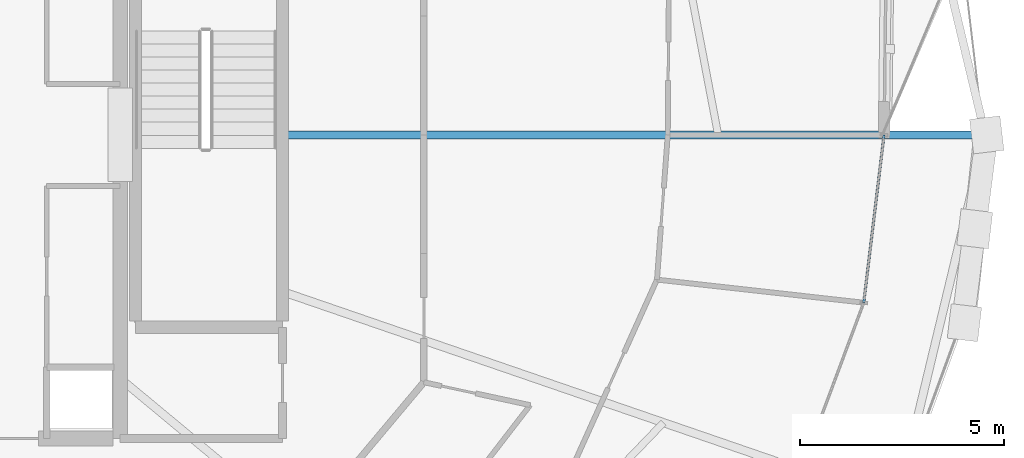
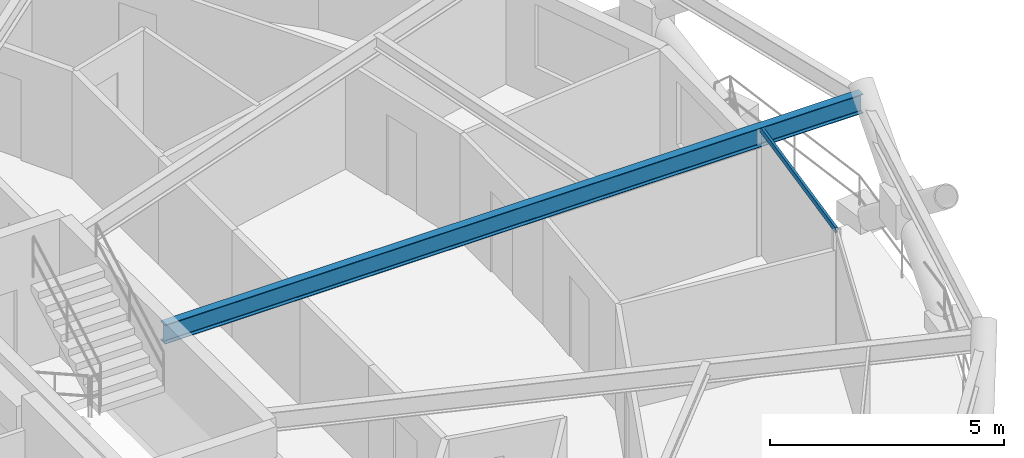
# One storey, part 10 of 21: 1 beam, 1 member, 1 element without a shape of its own.
"""IFC4 building model written with IfcOpenShell, lengths in metres."""

from ifc_helpers import new_model, si_unit, direction, frame, origin, origin_2d, place, context, subcontext, project, spatial, hollow_rectangle, i_section, extrude, material, layer, layer_set, material_profile, profile_set, type_object, element, aggregate, save


model = new_model("IFC4")

# Units and contexts
model_context = context("Model", 3, precision=1e-05, world=origin(), true_north=direction((0.0, 1.0)))
body_context = subcontext(model_context, "Body", "Model", "MODEL_VIEW")
ifc_project = project(units=[si_unit("LENGTHUNIT", "METRE"), si_unit("AREAUNIT", "SQUARE_METRE"), si_unit("VOLUMEUNIT", "CUBIC_METRE"), si_unit("PLANEANGLEUNIT", "RADIAN"), si_unit("MASSUNIT", "GRAM", prefix="KILO")], contexts=[model_context])

# Site, building, storey
site_placement = place(None, origin())
site = spatial("IfcSite", under=ifc_project, at=site_placement, CompositionType="ELEMENT")
building_placement = place(site_placement, origin())
building = spatial("IfcBuilding", under=site, at=building_placement, Name="Veldorina Hangang Commons", CompositionType="ELEMENT")
storey_placement = place(building_placement, frame((0.0, 0.0, 138.800048828125)))
storey = spatial("IfcBuildingStorey", under=building, at=storey_placement, Name="L35", CompositionType="ELEMENT", Elevation=138.800048828125)

# Beam
ifc_material_1 = material(Name="Steel SM420-TMC", Category="steel")
ifc_material_profile_1 = material_profile(ifc_material_1, i_section(OverallWidth=0.199951171875, OverallDepth=0.5, WebThickness=0.010009765625, FlangeThickness=0.01611328125, FilletRadius=0.01611328125, at=origin_2d()), Name="H-500x200x10x16")
ifc_profile_set_1 = profile_set([ifc_material_profile_1], Name="Steel SM420-TMC")
beam_type = type_object("IfcBeamType", Name="BM-FG500", PredefinedType="BEAM", material=ifc_profile_set_1)
beam_placement = place(storey_placement, frame((43.179931640625, 24.0, 3.099853515625), z_axis=(1.0, 0.0, 0.0), x_axis=(0.0, 1.0, 0.0)))
element("IfcBeam", 1, at=beam_placement, inside=storey, type_object=beam_type, Name="L35 radial floor girder 01", PredefinedType="BEAM", context=body_context, shape_type="SweptSolid", body=[
    extrude(i_section(OverallWidth=0.199951171875, OverallDepth=0.5, WebThickness=0.010009765625, FlangeThickness=0.01611328125, FilletRadius=0.01611328125, at=origin_2d()), origin(), (0.0, 0.0, 1.0), 17.24072265625),
])

# Curtain wall, member
ifc_material_2 = material(Name="Glass Low-E Triple IGU", Category="glass")
ifc_layer = layer(ifc_material_2, 0.179931640625)
ifc_layer_set = layer_set([ifc_layer], Name="Glass Low-E Triple IGU")
curtain_wall_type = type_object("IfcCurtainWallType", Name="CW-SYS-Z2", PredefinedType="NOTDEFINED", material=ifc_layer_set)
curtain_wall_placement = place(storey_placement, origin())
curtain_wall = element("IfcCurtainWall", 2, at=curtain_wall_placement, inside=storey, type_object=curtain_wall_type, Name="L35 unitised curtain wall CW-L35-R2", PredefinedType="NOTDEFINED")
ifc_material_3 = material(Name="Aluminium Anodized AA6063-T6", Category="aluminium")
ifc_material_profile_2 = material_profile(ifc_material_3, hollow_rectangle(XDim=0.06005859375, YDim=0.139892578125, WallThickness=0.00341796875, at=origin_2d()), Name="ALU-RHS-140x60x3.5")
ifc_profile_set_2 = profile_set([ifc_material_profile_2], Name="Aluminium Anodized AA6063-T6")
member_type = type_object("IfcMemberType", Name="CW-TRN-140", PredefinedType="USERDEFINED", material=ifc_profile_set_2)
member_placement = place(storey_placement, frame((57.43994140625, 19.88330078125, 3.27001953125), z_axis=(0.12016433068, 0.992754014664, 0.0), x_axis=(-0.992754014664, 0.12016433068, 0.0)))
member = element("IfcMember", 3, at=member_placement, type_object=member_type, Name="CW-L35-R2 facet 5 transom 1", ObjectType="TRANSOM", PredefinedType="USERDEFINED", context=body_context, shape_type="SweptSolid", body=[
    extrude(hollow_rectangle(XDim=0.06005859375, YDim=0.139892578125, WallThickness=0.00341796875, at=origin_2d()), origin(), (0.0, 0.0, 1.0), 4.146728515625),
])
aggregate(curtain_wall, [member])

save(model, "model.ifc")
